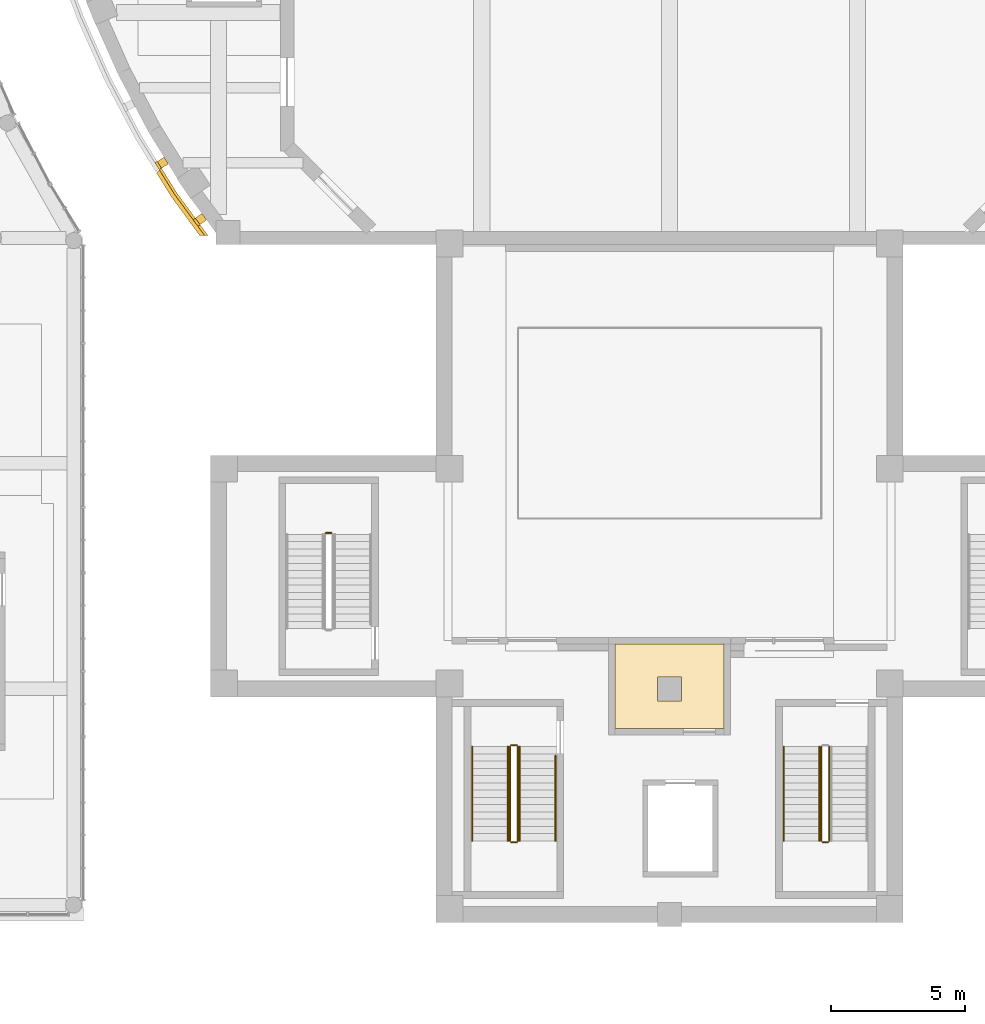
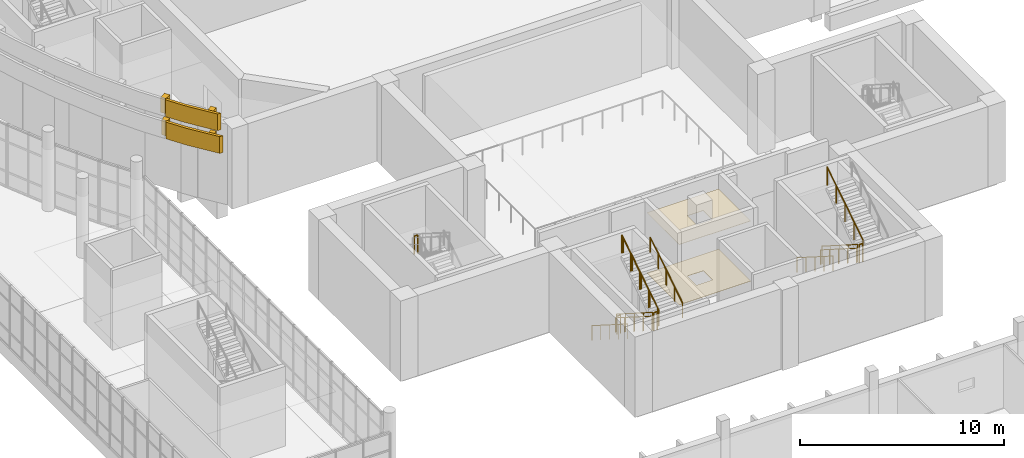
# One storey, part 91 of 119: 14 railings, 8 coverings.
"""IFC4 building model written with IfcOpenShell, lengths in metres."""

from ifc_helpers import new_model, si_unit, direction, frame, origin, origin_2d, place, context, subcontext, project, spatial, polyline, rectangle, circle, outline, extrude, material, layer, layer_set, type_object, element, save


model = new_model("IFC4")

# Units and contexts
model_context = context("Model", 3, precision=1e-05, world=origin(), true_north=direction((0.0, 1.0)))
body_context = subcontext(model_context, "Body", "Model", "MODEL_VIEW")
ifc_project = project(units=[si_unit("LENGTHUNIT", "METRE"), si_unit("AREAUNIT", "SQUARE_METRE"), si_unit("VOLUMEUNIT", "CUBIC_METRE"), si_unit("PLANEANGLEUNIT", "RADIAN"), si_unit("MASSUNIT", "GRAM", prefix="KILO")], contexts=[model_context])

# Site, building, storey
site_placement = place(None, origin())
site = spatial("IfcSite", under=ifc_project, at=site_placement, CompositionType="ELEMENT")
building_placement = place(site_placement, origin())
building = spatial("IfcBuilding", under=site, at=building_placement, Name="Larchfold Concert Hall", CompositionType="ELEMENT")
storey_placement = place(building_placement, frame((0.0, 0.0, 4.800048828125)))
storey = spatial("IfcBuildingStorey", under=building, at=storey_placement, Name="L01", CompositionType="ELEMENT", Elevation=4.800048828125)

# Coverings
ifc_material_1 = material(Name="Mineral fibre ceiling tile")
ifc_layer_1 = layer(ifc_material_1, 0.02001953125)
ifc_layer_set_1 = layer_set([ifc_layer_1], Name="Mineral fibre ceiling tile")
covering_type_1 = type_object("IfcCoveringType", Name="Ceiling mineral fibre tile 20", PredefinedType="CEILING", material=ifc_layer_set_1)
covering_1_placement = place(storey_placement, frame((0.0, 0.0, 3.60009765625)))
element("IfcCovering", 1, at=covering_1_placement, inside=storey, type_object=covering_type_1, Name="Ceiling Prop Store", PredefinedType="CEILING", context=body_context, shape_type="SweptSolid", body=[
    extrude(outline(polyline([(40.574951171875, 41.0), (40.574951171875, 41.125), (44.625, 41.125), (44.625, 44.27490234375), (40.573974609375, 44.27490234375), (40.574951171875, 41.0)]), holes=[polyline([(42.150146484375, 42.150146484375), (42.150146484375, 43.050048828125), (43.050048828125, 43.050048828125), (43.050048828125, 42.150146484375), (42.150146484375, 42.150146484375)])]), origin(), (0.0, 0.0, 1.0), 0.02001953125),
])
ifc_material_2 = material(Name="Linoleum sheet")
ifc_layer_2 = layer(ifc_material_2, 0.02001953125)
ifc_layer_set_2 = layer_set([ifc_layer_2], Name="Linoleum sheet")
covering_type_2 = type_object("IfcCoveringType", Name="Floor finish vinyl 20", PredefinedType="FLOORING", material=ifc_layer_set_2)
covering_2_placement = place(storey_placement, origin())
element("IfcCovering", 2, at=covering_2_placement, inside=storey, type_object=covering_type_2, Name="Floor finish Prop Store", PredefinedType="FLOORING", context=body_context, shape_type="SweptSolid", body=[
    extrude(outline(polyline([(40.574951171875, 41.0), (40.574951171875, 41.125), (44.625, 41.125), (44.625, 44.27490234375), (40.573974609375, 44.27490234375), (40.574951171875, 41.0)]), holes=[polyline([(42.150146484375, 42.150146484375), (42.150146484375, 43.050048828125), (43.050048828125, 43.050048828125), (43.050048828125, 42.150146484375), (42.150146484375, 42.150146484375)])]), origin(), (0.0, 0.0, 1.0), 0.02001953125),
])
ifc_material_3 = material(Name="Powder-coated orange aluminium", Category="aluminium")
ifc_layer_3 = layer(ifc_material_3, 0.14990234375)
ifc_layer_set_3 = layer_set([ifc_layer_3], Name="Powder-coated orange aluminium")
covering_type_3 = type_object("IfcCoveringType", Name="Orange aluminium ring cladding", PredefinedType="CLADDING", material=ifc_layer_set_3)
covering_3_placement = place(storey_placement, frame((0.0, 0.0, 3.300048828125)))
element("IfcCovering", 3, at=covering_3_placement, inside=storey, type_object=covering_type_3, Name="Ring band R01d", PredefinedType="CLADDING", context=body_context, shape_type="SweptSolid", body=[
    extrude(outline(polyline([(23.6591796875, 62.019287109375), (23.5576171875, 61.8984375), (24.1259765625, 60.983642578125), (25.21240234375, 59.5), (25.398193359375, 59.5), (24.25048828125, 61.067626953125), (23.6591796875, 62.019287109375)])), origin(), (0.0, 0.0, 1.0), 1.0),
])
covering_4_placement = place(storey_placement, frame((0.0, 0.0, 4.699951171875)))
element("IfcCovering", 4, at=covering_4_placement, inside=storey, type_object=covering_type_3, Name="Ring band R02d", PredefinedType="CLADDING", context=body_context, shape_type="SweptSolid", body=[
    extrude(outline(polyline([(23.59130859375, 61.938720703125), (23.489990234375, 61.81787109375), (24.043212890625, 60.927490234375), (25.08837890625, 59.5), (25.274169921875, 59.5), (24.16748046875, 61.011474609375), (23.59130859375, 61.938720703125)])), origin(), (0.0, 0.0, 1.0), 1.0),
])
ifc_material_4 = material(Name="Galvanised steel bracket", Category="steel")
ifc_layer_4 = layer(ifc_material_4, 0.300048828125)
ifc_layer_set_4 = layer_set([ifc_layer_4], Name="Galvanised steel bracket")
covering_type_4 = type_object("IfcCoveringType", Name="Ring support bracket", PredefinedType="CLADDING", material=ifc_layer_set_4)
for number, where, z_axis, x_axis, name in (
    (5, (23.720947265625, 62.2041015625, 3.35009765625), (0.0, 0.0, 1.0), (-0.849390839977, -0.527764342263, 0.0), "Ring bracket BR-R01-25"),
    (6, (25.141845703125, 60.104248046875, 3.35009765625), (0.0, 0.0, 1.0), (-0.80684915404, -0.590757515927, 0.0), "Ring bracket BR-R01-26"),
):
    element("IfcCovering", number, at=place(storey_placement, frame(where, z_axis=z_axis, x_axis=x_axis)), inside=storey, type_object=covering_type_4, Name=name, PredefinedType="CLADDING", context=body_context, shape_type="SweptSolid", body=[
        extrude(rectangle(XDim=0.300048828125, YDim=0.300048828125, at=origin_2d()), origin(), (0.0, 0.0, 1.0), 0.89990234375),
    ])
for number, where, z_axis, x_axis, name in (
    (7, (23.678466796875, 62.177734375, 4.75), (0.0, 0.0, 1.0), (-0.849390839977, -0.527764342263, 0.0), "Ring bracket BR-R02-25"),
    (8, (25.1015625, 60.07470703125, 4.75), (0.0, 0.0, 1.0), (-0.80684915404, -0.590757515927, 0.0), "Ring bracket BR-R02-26"),
):
    element("IfcCovering", number, at=place(storey_placement, frame(where, z_axis=z_axis, x_axis=x_axis)), inside=storey, type_object=covering_type_4, Name=name, PredefinedType="CLADDING", context=body_context, shape_type="SweptSolid", body=[
        extrude(rectangle(XDim=0.39990234375, YDim=0.300048828125, at=origin_2d()), origin(), (0.0, 0.0, 1.0), 0.89990234375),
    ])

# Railings
ifc_material_5 = material(Name="Stainless steel balustrade", Category="steel")
railing_type_1 = type_object("IfcRailingType", Name="Stair guard 1100", PredefinedType="GUARDRAIL", material=ifc_material_5)
railing_1_placement = place(storey_placement, frame((30.0, 48.41015625, 2.39990234375)))
element("IfcRailing", 9, at=railing_1_placement, inside=storey, type_object=railing_type_1, Name="Guard GR0036", PredefinedType="GUARDRAIL", context=body_context, shape_type="SweptSolid", body=[
    extrude(circle(Radius=0.02392578125, at=origin_2d()), frame((0.0, 0.0, 1.076171875), z_axis=(-1.0, 0.0, 0.0), x_axis=(0.0, -1.0, 0.0)), (0.0, 0.0, 1.0), 0.199951171875),
    extrude(circle(Radius=0.02099609375, at=origin_2d()), origin(), (0.0, 0.0, 1.0), 1.052001953125),
    extrude(circle(Radius=0.02099609375, at=origin_2d()), frame((-0.199951171875, 0.0, 0.0)), (0.0, 0.0, 1.0), 1.052001953125),
])
railing_2_placement = place(storey_placement, frame((36.64990234375, 40.449951171875, 0.17138671875)))
element("IfcRailing", 10, at=railing_2_placement, inside=storey, type_object=railing_type_1, Name="Guard GR0043", PredefinedType="GUARDRAIL", context=body_context, shape_type="SweptSolid", body=[
    extrude(circle(Radius=0.02392578125, at=origin_2d()), frame((0.0, 0.0, 1.076171875), z_axis=(0.0, -0.844219563411, 0.53599750816), x_axis=(1.0, 0.0, 0.0)), (0.0, 0.0, 1.0), 4.15771484375),
    extrude(circle(Radius=0.02099609375, at=origin_2d()), origin(), (0.0, 0.0, 1.0), 1.052001953125),
    extrude(circle(Radius=0.02099609375, at=origin_2d()), frame((0.0, -0.87744140625, 0.55712890625)), (0.0, 0.0, 1.0), 1.052001953125),
    extrude(circle(Radius=0.02099609375, at=origin_2d()), frame((0.0, -1.7548828125, 1.1142578125)), (0.0, 0.0, 1.0), 1.052001953125),
    extrude(circle(Radius=0.02099609375, at=origin_2d()), frame((0.0, -2.632568359375, 1.67138671875)), (0.0, 0.0, 1.0), 1.052001953125),
    extrude(circle(Radius=0.02099609375, at=origin_2d()), frame((0.0, -3.510009765625, 2.228515625)), (0.0, 0.0, 1.0), 1.052001953125),
])
railing_3_placement = place(storey_placement, frame((36.699951171875, 36.889892578125, 2.39990234375)))
element("IfcRailing", 11, at=railing_3_placement, inside=storey, type_object=railing_type_1, Name="Guard GR0044", PredefinedType="GUARDRAIL", context=body_context, shape_type="SweptSolid", body=[
    extrude(circle(Radius=0.02392578125, at=origin_2d()), frame((0.0, 0.0, 1.076171875), z_axis=(1.0, 0.0, 0.0), x_axis=(0.0, 1.0, 0.0)), (0.0, 0.0, 1.0), 0.199951171875),
    extrude(circle(Radius=0.02099609375, at=origin_2d()), origin(), (0.0, 0.0, 1.0), 1.052001953125),
    extrude(circle(Radius=0.02099609375, at=origin_2d()), frame((0.199951171875, 0.0, 0.0)), (0.0, 0.0, 1.0), 1.052001953125),
])
railing_4_placement = place(storey_placement, frame((36.949951171875, 36.93994140625, 2.5712890625)))
element("IfcRailing", 12, at=railing_4_placement, inside=storey, type_object=railing_type_1, Name="Guard GR0045", PredefinedType="GUARDRAIL", context=body_context, shape_type="SweptSolid", body=[
    extrude(circle(Radius=0.02392578125, at=origin_2d()), frame((0.0, 0.0, 1.076171875), z_axis=(0.0, 0.844192992368, 0.536039356425), x_axis=(-1.0, 0.0, 0.0)), (0.0, 0.0, 1.0), 4.15771484375),
    extrude(circle(Radius=0.02099609375, at=origin_2d()), origin(), (0.0, 0.0, 1.0), 1.052001953125),
    extrude(circle(Radius=0.02099609375, at=origin_2d()), frame((0.0, 0.87744140625, 0.55712890625)), (0.0, 0.0, 1.0), 1.052001953125),
    extrude(circle(Radius=0.02099609375, at=origin_2d()), frame((0.0, 1.7548828125, 1.1142578125)), (0.0, 0.0, 1.0), 1.052001953125),
    extrude(circle(Radius=0.02099609375, at=origin_2d()), frame((0.0, 2.632568359375, 1.671630859375)), (0.0, 0.0, 1.0), 1.052001953125),
    extrude(circle(Radius=0.02099609375, at=origin_2d()), frame((0.0, 3.510009765625, 2.228759765625)), (0.0, 0.0, 1.0), 1.052001953125),
])
railing_5_placement = place(storey_placement, frame((36.699951171875, 40.5, 0.0)))
element("IfcRailing", 13, at=railing_5_placement, inside=storey, type_object=railing_type_1, Name="Guard GR0046", PredefinedType="GUARDRAIL", context=body_context, shape_type="SweptSolid", body=[
    extrude(circle(Radius=0.02392578125, at=origin_2d()), frame((0.0, 0.0, 1.076171875), z_axis=(1.0, 0.0, 0.0), x_axis=(0.0, 1.0, 0.0)), (0.0, 0.0, 1.0), 0.199951171875),
    extrude(circle(Radius=0.02099609375, at=origin_2d()), origin(), (0.0, 0.0, 1.0), 1.052001953125),
    extrude(circle(Radius=0.02099609375, at=origin_2d()), frame((0.199951171875, 0.0, 0.0)), (0.0, 0.0, 1.0), 1.052001953125),
])
railing_6_placement = place(storey_placement, frame((48.25, 40.449951171875, 0.17138671875)))
element("IfcRailing", 14, at=railing_6_placement, inside=storey, type_object=railing_type_1, Name="Guard GR0047", PredefinedType="GUARDRAIL", context=body_context, shape_type="SweptSolid", body=[
    extrude(circle(Radius=0.02392578125, at=origin_2d()), frame((0.0, 0.0, 1.076171875), z_axis=(0.0, -0.844219563411, 0.53599750816), x_axis=(1.0, 0.0, 0.0)), (0.0, 0.0, 1.0), 4.15771484375),
    extrude(circle(Radius=0.02099609375, at=origin_2d()), origin(), (0.0, 0.0, 1.0), 1.052001953125),
    extrude(circle(Radius=0.02099609375, at=origin_2d()), frame((0.0, -0.87744140625, 0.55712890625)), (0.0, 0.0, 1.0), 1.052001953125),
    extrude(circle(Radius=0.02099609375, at=origin_2d()), frame((0.0, -1.7548828125, 1.1142578125)), (0.0, 0.0, 1.0), 1.052001953125),
    extrude(circle(Radius=0.02099609375, at=origin_2d()), frame((0.0, -2.632568359375, 1.67138671875)), (0.0, 0.0, 1.0), 1.052001953125),
    extrude(circle(Radius=0.02099609375, at=origin_2d()), frame((0.0, -3.510009765625, 2.228515625)), (0.0, 0.0, 1.0), 1.052001953125),
])
railing_7_placement = place(storey_placement, frame((48.300048828125, 36.889892578125, 2.39990234375)))
element("IfcRailing", 15, at=railing_7_placement, inside=storey, type_object=railing_type_1, Name="Guard GR0048", PredefinedType="GUARDRAIL", context=body_context, shape_type="SweptSolid", body=[
    extrude(circle(Radius=0.02392578125, at=origin_2d()), frame((0.0, 0.0, 1.076171875), z_axis=(1.0, 0.0, 0.0), x_axis=(0.0, 1.0, 0.0)), (0.0, 0.0, 1.0), 0.199951171875),
    extrude(circle(Radius=0.02099609375, at=origin_2d()), origin(), (0.0, 0.0, 1.0), 1.052001953125),
    extrude(circle(Radius=0.02099609375, at=origin_2d()), frame((0.199951171875, 0.0, 0.0)), (0.0, 0.0, 1.0), 1.052001953125),
])
railing_8_placement = place(storey_placement, frame((48.550048828125, 36.93994140625, 2.5712890625)))
element("IfcRailing", 16, at=railing_8_placement, inside=storey, type_object=railing_type_1, Name="Guard GR0049", PredefinedType="GUARDRAIL", context=body_context, shape_type="SweptSolid", body=[
    extrude(circle(Radius=0.02392578125, at=origin_2d()), frame((0.0, 0.0, 1.076171875), z_axis=(0.0, 0.844192992368, 0.536039356425), x_axis=(-1.0, 0.0, 0.0)), (0.0, 0.0, 1.0), 4.15771484375),
    extrude(circle(Radius=0.02099609375, at=origin_2d()), origin(), (0.0, 0.0, 1.0), 1.052001953125),
    extrude(circle(Radius=0.02099609375, at=origin_2d()), frame((0.0, 0.87744140625, 0.55712890625)), (0.0, 0.0, 1.0), 1.052001953125),
    extrude(circle(Radius=0.02099609375, at=origin_2d()), frame((0.0, 1.7548828125, 1.1142578125)), (0.0, 0.0, 1.0), 1.052001953125),
    extrude(circle(Radius=0.02099609375, at=origin_2d()), frame((0.0, 2.632568359375, 1.671630859375)), (0.0, 0.0, 1.0), 1.052001953125),
    extrude(circle(Radius=0.02099609375, at=origin_2d()), frame((0.0, 3.510009765625, 2.228759765625)), (0.0, 0.0, 1.0), 1.052001953125),
])
ifc_material_6 = material(Name="Stainless steel handrail", Category="steel")
railing_type_2 = type_object("IfcRailingType", Name="Stair handrail 900", PredefinedType="HANDRAIL", material=ifc_material_6)
railing_9_placement = place(storey_placement, frame((35.25, 40.449951171875, 0.17138671875)))
element("IfcRailing", 17, at=railing_9_placement, inside=storey, type_object=railing_type_2, Name="Handrail HR0041", PredefinedType="HANDRAIL", context=body_context, shape_type="SweptSolid", body=[
    extrude(circle(Radius=0.02392578125, at=origin_2d()), frame((0.0, 0.0, 0.8759765625), z_axis=(0.0, -0.844219563411, 0.53599750816), x_axis=(1.0, 0.0, 0.0)), (0.0, 0.0, 1.0), 4.15771484375),
    extrude(circle(Radius=0.02099609375, at=origin_2d()), origin(), (0.0, 0.0, 1.0), 0.851806640625),
    extrude(circle(Radius=0.02099609375, at=origin_2d()), frame((0.0, -0.87744140625, 0.55712890625)), (0.0, 0.0, 1.0), 0.851806640625),
    extrude(circle(Radius=0.02099609375, at=origin_2d()), frame((0.0, -1.7548828125, 1.1142578125)), (0.0, 0.0, 1.0), 0.851806640625),
    extrude(circle(Radius=0.02099609375, at=origin_2d()), frame((0.0, -2.632568359375, 1.67138671875)), (0.0, 0.0, 1.0), 0.851806640625),
    extrude(circle(Radius=0.02099609375, at=origin_2d()), frame((0.0, -3.510009765625, 2.228515625)), (0.0, 0.0, 1.0), 0.851806640625),
])
railing_10_placement = place(storey_placement, frame((38.35009765625, 36.93994140625, 2.5712890625)))
element("IfcRailing", 18, at=railing_10_placement, inside=storey, type_object=railing_type_2, Name="Handrail HR0042", PredefinedType="HANDRAIL", context=body_context, shape_type="SweptSolid", body=[
    extrude(circle(Radius=0.02392578125, at=origin_2d()), frame((0.0, 0.0, 0.8759765625), z_axis=(0.0, 0.844224994989, 0.535988953092), x_axis=(-1.0, 0.0, 0.0)), (0.0, 0.0, 1.0), 3.7431640625),
    extrude(circle(Radius=0.02099609375, at=origin_2d()), origin(), (0.0, 0.0, 1.0), 0.851806640625),
    extrude(circle(Radius=0.02099609375, at=origin_2d()), frame((0.0, 0.7900390625, 0.50146484375)), (0.0, 0.0, 1.0), 0.851806640625),
    extrude(circle(Radius=0.02099609375, at=origin_2d()), frame((0.0, 1.580078125, 1.003173828125)), (0.0, 0.0, 1.0), 0.851806640625),
    extrude(circle(Radius=0.02099609375, at=origin_2d()), frame((0.0, 2.3701171875, 1.5048828125)), (0.0, 0.0, 1.0), 0.851806640625),
    extrude(circle(Radius=0.02099609375, at=origin_2d()), frame((0.0, 3.16015625, 2.00634765625)), (0.0, 0.0, 1.0), 0.851806640625),
])
railing_11_placement = place(storey_placement, frame((36.579833984375, 40.449951171875, 0.17138671875)))
element("IfcRailing", 19, at=railing_11_placement, inside=storey, type_object=railing_type_2, Name="Handrail HR0043", PredefinedType="HANDRAIL", context=body_context, shape_type="SweptSolid", body=[
    extrude(circle(Radius=0.02392578125, at=origin_2d()), frame((0.0, 0.0, 0.8759765625), z_axis=(0.0, -0.844219563411, 0.53599750816), x_axis=(1.0, 0.0, 0.0)), (0.0, 0.0, 1.0), 4.15771484375),
    extrude(circle(Radius=0.02099609375, at=origin_2d()), origin(), (0.0, 0.0, 1.0), 0.851806640625),
    extrude(circle(Radius=0.02099609375, at=origin_2d()), frame((0.0, -0.87744140625, 0.55712890625)), (0.0, 0.0, 1.0), 0.851806640625),
    extrude(circle(Radius=0.02099609375, at=origin_2d()), frame((0.0, -1.7548828125, 1.1142578125)), (0.0, 0.0, 1.0), 0.851806640625),
    extrude(circle(Radius=0.02099609375, at=origin_2d()), frame((0.0, -2.632568359375, 1.67138671875)), (0.0, 0.0, 1.0), 0.851806640625),
    extrude(circle(Radius=0.02099609375, at=origin_2d()), frame((0.0, -3.510009765625, 2.228515625)), (0.0, 0.0, 1.0), 0.851806640625),
])
railing_12_placement = place(storey_placement, frame((37.02001953125, 36.93994140625, 2.5712890625)))
element("IfcRailing", 20, at=railing_12_placement, inside=storey, type_object=railing_type_2, Name="Handrail HR0044", PredefinedType="HANDRAIL", context=body_context, shape_type="SweptSolid", body=[
    extrude(circle(Radius=0.02392578125, at=origin_2d()), frame((0.0, 0.0, 0.8759765625), z_axis=(0.0, 0.844192992368, 0.536039356425), x_axis=(-1.0, 0.0, 0.0)), (0.0, 0.0, 1.0), 4.15771484375),
    extrude(circle(Radius=0.02099609375, at=origin_2d()), origin(), (0.0, 0.0, 1.0), 0.851806640625),
    extrude(circle(Radius=0.02099609375, at=origin_2d()), frame((0.0, 0.87744140625, 0.55712890625)), (0.0, 0.0, 1.0), 0.851806640625),
    extrude(circle(Radius=0.02099609375, at=origin_2d()), frame((0.0, 1.7548828125, 1.1142578125)), (0.0, 0.0, 1.0), 0.851806640625),
    extrude(circle(Radius=0.02099609375, at=origin_2d()), frame((0.0, 2.632568359375, 1.671630859375)), (0.0, 0.0, 1.0), 0.851806640625),
    extrude(circle(Radius=0.02099609375, at=origin_2d()), frame((0.0, 3.510009765625, 2.228759765625)), (0.0, 0.0, 1.0), 0.851806640625),
])
for number, where, name in (
    (21, (46.85009765625, 40.449951171875, 0.17138671875), "Handrail HR0045"),
    (22, (48.179931640625, 40.449951171875, 0.17138671875), "Handrail HR0047"),
):
    element("IfcRailing", number, at=place(storey_placement, frame(where)), inside=storey, type_object=railing_type_2, Name=name, PredefinedType="HANDRAIL", context=body_context, shape_type="SweptSolid", body=[
        extrude(circle(Radius=0.02392578125, at=origin_2d()), frame((0.0, 0.0, 0.8759765625), z_axis=(0.0, -0.844219563411, 0.53599750816), x_axis=(1.0, 0.0, 0.0)), (0.0, 0.0, 1.0), 4.15771484375),
        extrude(circle(Radius=0.02099609375, at=origin_2d()), origin(), (0.0, 0.0, 1.0), 0.851806640625),
        extrude(circle(Radius=0.02099609375, at=origin_2d()), frame((0.0, -0.87744140625, 0.55712890625)), (0.0, 0.0, 1.0), 0.851806640625),
        extrude(circle(Radius=0.02099609375, at=origin_2d()), frame((0.0, -1.7548828125, 1.1142578125)), (0.0, 0.0, 1.0), 0.851806640625),
        extrude(circle(Radius=0.02099609375, at=origin_2d()), frame((0.0, -2.632568359375, 1.67138671875)), (0.0, 0.0, 1.0), 0.851806640625),
        extrude(circle(Radius=0.02099609375, at=origin_2d()), frame((0.0, -3.510009765625, 2.228515625)), (0.0, 0.0, 1.0), 0.851806640625),
    ])

save(model, "model.ifc")
